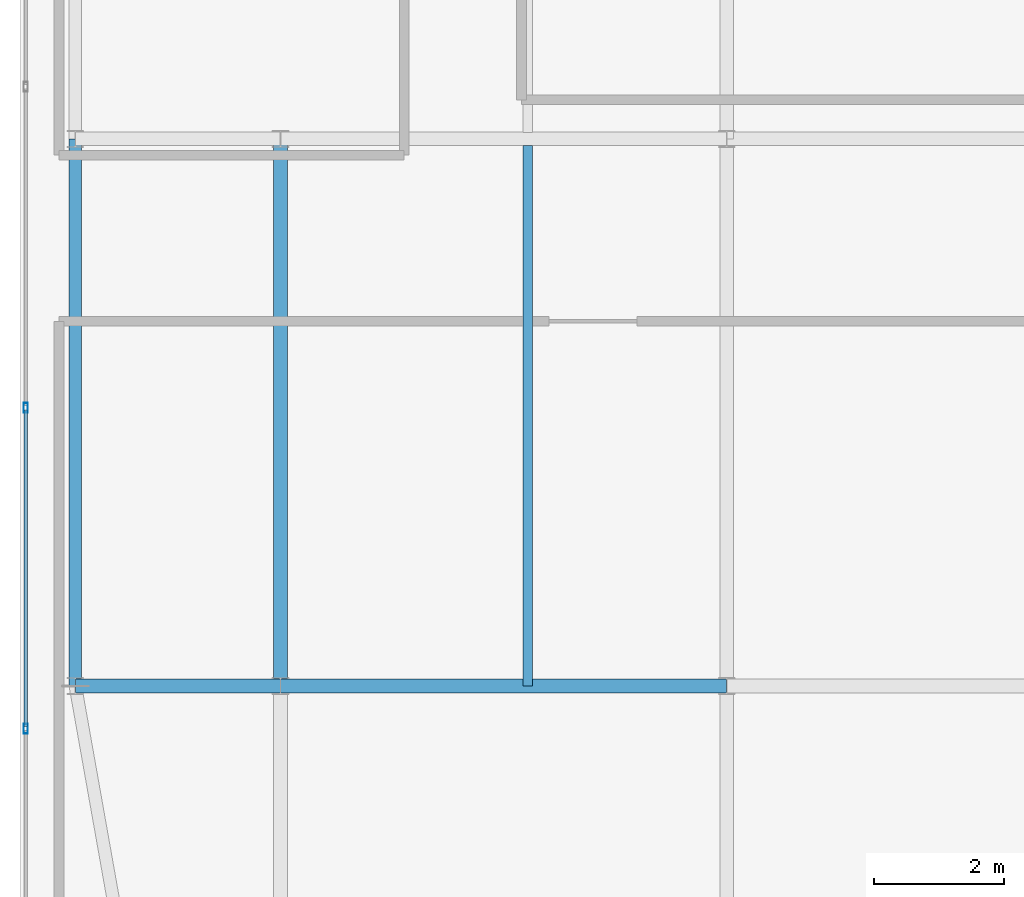
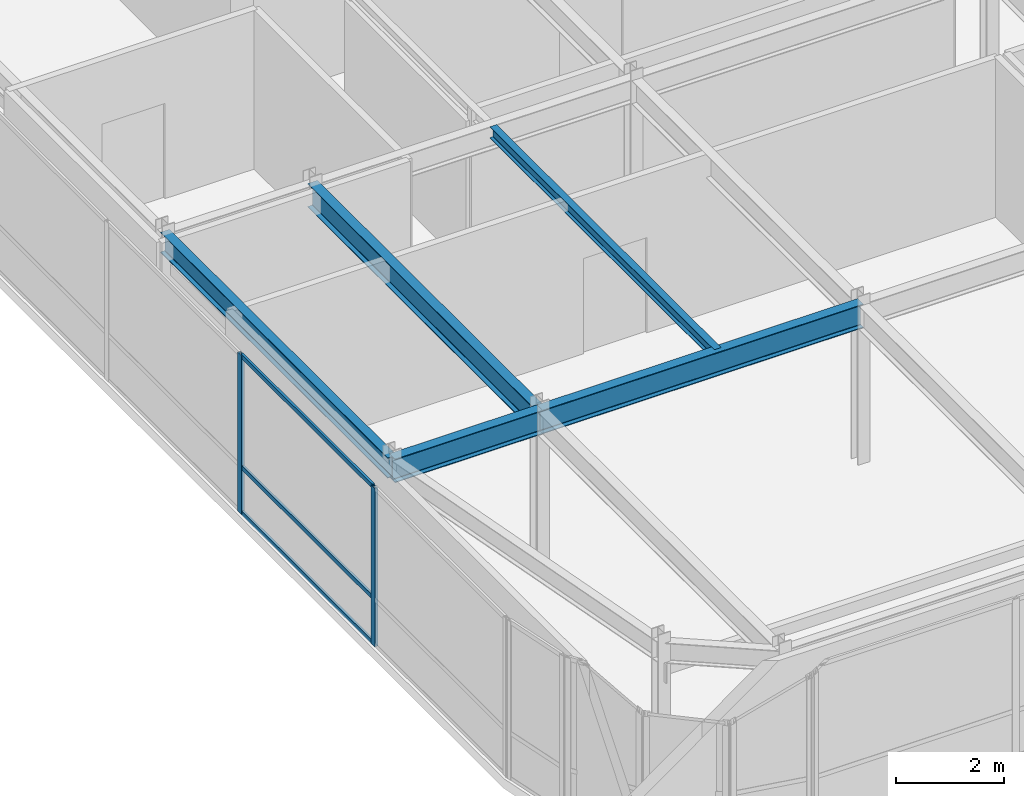
# One storey, part 8 of 36: 5 beams, 5 members, 1 element without a shape of its own.
"""IFC4 building model written with IfcOpenShell, lengths in metres."""

from ifc_helpers import new_model, si_unit, direction, frame, origin, origin_2d, place, context, subcontext, project, spatial, hollow_rectangle, i_section, extrude, source, transform, mapped, material, layer, layer_set, material_profile, profile_set, type_object, type_shapes, element, aggregate, save


model = new_model("IFC4")

# Units and contexts
model_context = context("Model", 3, precision=1e-05, world=origin(), true_north=direction((0.0, 1.0)))
body_context = subcontext(model_context, "Body", "Model", "MODEL_VIEW")
ifc_project = project(units=[si_unit("LENGTHUNIT", "METRE"), si_unit("AREAUNIT", "SQUARE_METRE"), si_unit("VOLUMEUNIT", "CUBIC_METRE"), si_unit("PLANEANGLEUNIT", "RADIAN"), si_unit("MASSUNIT", "GRAM", prefix="KILO")], contexts=[model_context])

# Site, building, storey
site_placement = place(None, origin())
site = spatial("IfcSite", under=ifc_project, at=site_placement, CompositionType="ELEMENT")
building_placement = place(site_placement, origin())
building = spatial("IfcBuilding", under=site, at=building_placement, Name="Tolvann Quenvar Hotel", CompositionType="ELEMENT")
storey_placement = place(building_placement, frame((0.0, 0.0, 298.550048828125)))
storey = spatial("IfcBuildingStorey", under=building, at=storey_placement, Name="L79", CompositionType="ELEMENT", Elevation=298.550048828125)

# Beams
ifc_material_1 = material(Name="Steel Grade 350", Category="steel")
ifc_material_profile_1 = material_profile(ifc_material_1, i_section(OverallWidth=0.208984375, OverallDepth=0.532958984375, WebThickness=0.01025390625, FlangeThickness=0.015625, FilletRadius=0.013916015625, at=origin_2d()), Name="530UB92")
ifc_profile_set_1 = profile_set([ifc_material_profile_1], Name="Steel Grade 350")
beam_type_1 = type_object("IfcBeamType", Name="BM_GIRD_530UB92", PredefinedType="BEAM", material=ifc_profile_set_1)
shared_shape_1 = source(origin(), body_context, "Body", "SweptSolid", [
    extrude(i_section(OverallWidth=0.208984375, OverallDepth=0.532958984375, WebThickness=0.01025390625, FlangeThickness=0.015625, FilletRadius=0.013916015625, at=origin_2d()), origin(), (0.0, 0.0, 1.0), 8.39990234375),
])
beam_1_placement = place(storey_placement, frame((7.60009765625, 16.0, 3.3134765625), z_axis=(0.0, 1.0, 0.0), x_axis=(-1.0, 0.0, 0.0)))
element("IfcBeam", 1, at=beam_1_placement, inside=storey, type_object=beam_type_1, Name="BM-L79-NS-C4-C5", PredefinedType="BEAM", context=body_context, shape_type="MappedRepresentation", body=[
    mapped(shared_shape_1, transform((0.0, 0.0, 0.0), x_axis=(1.0, 0.0, 0.0), y_axis=(0.0, 1.0, 0.0), z_axis=(0.0, 0.0, 1.0), scale=1.0)),
])
ifc_material_profile_2 = material_profile(ifc_material_1, i_section(OverallWidth=0.19091796875, OverallDepth=0.4599609375, WebThickness=0.010009765625, FlangeThickness=0.01611328125, FilletRadius=0.011474609375, at=origin_2d()), Name="460UB82")
ifc_profile_set_2 = profile_set([ifc_material_profile_2], Name="Steel Grade 350")
beam_type_2 = type_object("IfcBeamType", Name="BM_SPAND_460UB82", PredefinedType="SPANDREL", material=ifc_profile_set_2)
shared_shape_2 = source(origin(), body_context, "Body", "SweptSolid", [
    extrude(i_section(OverallWidth=0.19091796875, OverallDepth=0.4599609375, WebThickness=0.010009765625, FlangeThickness=0.01611328125, FilletRadius=0.011474609375, at=origin_2d()), origin(), (0.0, 0.0, 1.0), 8.39990234375),
])
type_shapes(beam_type_2, [shared_shape_2])
beam_2_placement = place(storey_placement, frame((4.449951171875, 16.0, 3.349853515625), z_axis=(0.0, 1.0, 0.0), x_axis=(-1.0, 0.0, 0.0)))
element("IfcBeam", 2, at=beam_2_placement, inside=storey, type_object=beam_type_2, Name="BM-L79-NS-B4-B5", PredefinedType="SPANDREL", context=body_context, shape_type="MappedRepresentation", body=[
    mapped(shared_shape_2, transform((0.0, 0.0, 0.0), x_axis=(1.0, 0.0, 0.0), y_axis=(0.0, 1.0, 0.0), z_axis=(0.0, 0.0, 1.0), scale=1.0)),
])
shared_shape_3 = source(origin(), body_context, "Body", "SweptSolid", [
    extrude(i_section(OverallWidth=0.208984375, OverallDepth=0.532958984375, WebThickness=0.01025390625, FlangeThickness=0.015625, FilletRadius=0.013916015625, at=origin_2d()), origin(), (0.0, 0.0, 1.0), 6.849853515625),
])
beam_3_placement = place(storey_placement, frame((7.60009765625, 16.0, 3.3134765625), z_axis=(1.0, 0.0, 0.0), x_axis=(0.0, 1.0, 0.0)))
element("IfcBeam", 3, at=beam_3_placement, inside=storey, type_object=beam_type_1, Name="BM-L79-EW-4-C4-D4", PredefinedType="BEAM", context=body_context, shape_type="MappedRepresentation", body=[
    mapped(shared_shape_3, transform((0.0, 0.0, 0.0), x_axis=(1.0, 0.0, 0.0), y_axis=(0.0, 1.0, 0.0), z_axis=(0.0, 0.0, 1.0), scale=1.0)),
])
shared_shape_4 = source(origin(), body_context, "Body", "SweptSolid", [
    extrude(i_section(OverallWidth=0.208984375, OverallDepth=0.532958984375, WebThickness=0.01025390625, FlangeThickness=0.015625, FilletRadius=0.013916015625, at=origin_2d()), origin(), (0.0, 0.0, 1.0), 3.150146484375),
])
type_shapes(beam_type_1, [shared_shape_1, shared_shape_3, shared_shape_4])
beam_4_placement = place(storey_placement, frame((4.449951171875, 16.0, 3.3134765625), z_axis=(1.0, 0.0, 0.0), x_axis=(0.0, 1.0, 0.0)))
element("IfcBeam", 4, at=beam_4_placement, inside=storey, type_object=beam_type_1, Name="BM-L79-EW-4-B4-C4", PredefinedType="BEAM", context=body_context, shape_type="MappedRepresentation", body=[
    mapped(shared_shape_4, transform((0.0, 0.0, 0.0), x_axis=(1.0, 0.0, 0.0), y_axis=(0.0, 1.0, 0.0), z_axis=(0.0, 0.0, 1.0), scale=1.0)),
])
ifc_material_profile_3 = material_profile(ifc_material_1, i_section(OverallWidth=0.14599609375, OverallDepth=0.256103515625, WebThickness=0.00634765625, FlangeThickness=0.010986328125, FilletRadius=0.0087890625, at=origin_2d()), Name="250UB37")
ifc_profile_set_3 = profile_set([ifc_material_profile_3], Name="Steel Grade 350")
beam_type_3 = type_object("IfcBeamType", Name="BM_JOIST_250UB37", PredefinedType="JOIST", material=ifc_profile_set_3)
shared_shape_5 = source(origin(), body_context, "Body", "SweptSolid", [
    extrude(i_section(OverallWidth=0.14599609375, OverallDepth=0.256103515625, WebThickness=0.00634765625, FlangeThickness=0.010986328125, FilletRadius=0.0087890625, at=origin_2d()), origin(), (0.0, 0.0, 1.0), 8.301513671875),
])
type_shapes(beam_type_3, [shared_shape_5])
beam_5_placement = place(storey_placement, frame((11.39990234375, 16.0, 3.451904296875), z_axis=(0.0, 1.0, 0.0), x_axis=(-1.0, 0.0, 0.0)))
element("IfcBeam", 5, at=beam_5_placement, inside=storey, type_object=beam_type_3, Name="BJ-L79-114-160", PredefinedType="JOIST", context=body_context, shape_type="MappedRepresentation", body=[
    mapped(shared_shape_5, transform((0.0, 0.0, 0.0), x_axis=(1.0, 0.0, 0.0), y_axis=(0.0, 1.0, 0.0), z_axis=(0.0, 0.0, 1.0), scale=1.0)),
])

# Curtain wall, members
ifc_material_2 = material(Name="Thermally broken anodised architectural aluminium 6063-T6 and laminated low-E glass", Category="aluminium")
ifc_layer = layer(ifc_material_2, 0.179931640625)
ifc_layer_set = layer_set([ifc_layer], Name="Thermally broken anodised architectural aluminium 6063-T6 and laminated low-E glass")
curtain_wall_type = type_object("IfcCurtainWallType", Name="CW_SYS_LANT_06", PredefinedType="USERDEFINED", material=ifc_layer_set)
curtain_wall_placement = place(storey_placement, origin())
curtain_wall = element("IfcCurtainWall", 6, at=curtain_wall_placement, inside=storey, type_object=curtain_wall_type, Name="Curtain Wall CW-LANT-06 (CWR-L79-E19)", ObjectType="UNITISED CURTAIN WALL", PredefinedType="USERDEFINED")
ifc_material_3 = material(Name="Anodised architectural aluminium 6063-T6 framing", Category="aluminium")
ifc_material_profile_4 = material_profile(ifc_material_3, hollow_rectangle(XDim=0.050048828125, YDim=0.10009765625, WallThickness=0.0029296875, at=origin_2d()), Name="100x50x3RHS")
ifc_profile_set_4 = profile_set([ifc_material_profile_4], Name="Anodised architectural aluminium 6063-T6 framing")
member_type_1 = type_object("IfcMemberType", Name="CW_TRAN_100x50", PredefinedType="USERDEFINED", material=ifc_profile_set_4)
shared_shape_6 = source(origin(), body_context, "Body", "SweptSolid", [
    extrude(hollow_rectangle(XDim=0.050048828125, YDim=0.10009765625, WallThickness=0.0029296875, at=origin_2d()), origin(), (0.0, 0.0, 1.0), 4.86279296875),
])
type_shapes(member_type_1, [shared_shape_6])
member_1_placement = place(storey_placement, frame((3.68994140625, 20.239990234375, 0.02490234375), z_axis=(0.0, -1.0, 0.0), x_axis=(1.0, 0.0, 0.0)))
member_1 = element("IfcMember", 7, at=member_1_placement, type_object=member_type_1, Name="CW-LANT-06 transom 5.1", ObjectType="TRANSOM", PredefinedType="USERDEFINED", context=body_context, shape_type="MappedRepresentation", body=[
    mapped(shared_shape_6, transform((0.0, 0.0, 0.0), x_axis=(1.0, 0.0, 0.0), y_axis=(0.0, 1.0, 0.0), z_axis=(0.0, 0.0, 1.0), scale=1.0)),
])
member_2_placement = place(storey_placement, frame((3.68994140625, 20.239990234375, 1.050048828125), z_axis=(0.0, -1.0, 0.0), x_axis=(1.0, 0.0, 0.0)))
member_2 = element("IfcMember", 8, at=member_2_placement, type_object=member_type_1, Name="CW-LANT-06 transom 5.2", ObjectType="TRANSOM", PredefinedType="USERDEFINED", context=body_context, shape_type="MappedRepresentation", body=[
    mapped(shared_shape_6, transform((0.0, 0.0, 0.0), x_axis=(1.0, 0.0, 0.0), y_axis=(0.0, 1.0, 0.0), z_axis=(0.0, 0.0, 1.0), scale=1.0)),
])
member_3_placement = place(storey_placement, frame((3.68994140625, 20.239990234375, 3.554931640625), z_axis=(0.0, -1.0, 0.0), x_axis=(1.0, 0.0, 0.0)))
member_3 = element("IfcMember", 9, at=member_3_placement, type_object=member_type_1, Name="CW-LANT-06 transom 5.3", ObjectType="TRANSOM", PredefinedType="USERDEFINED", context=body_context, shape_type="MappedRepresentation", body=[
    mapped(shared_shape_6, transform((0.0, 0.0, 0.0), x_axis=(1.0, 0.0, 0.0), y_axis=(0.0, 1.0, 0.0), z_axis=(0.0, 0.0, 1.0), scale=1.0)),
])
ifc_material_profile_5 = material_profile(ifc_material_3, hollow_rectangle(XDim=0.06494140625, YDim=0.14990234375, WallThickness=0.00390625, at=origin_2d()), Name="150x65x4RHS")
ifc_profile_set_5 = profile_set([ifc_material_profile_5], Name="Anodised architectural aluminium 6063-T6 framing")
member_type_2 = type_object("IfcMemberType", Name="CW_MULL_150x65", PredefinedType="MULLION", material=ifc_profile_set_5)
shared_shape_7 = source(origin(), body_context, "Body", "SweptSolid", [
    extrude(hollow_rectangle(XDim=0.06494140625, YDim=0.14990234375, WallThickness=0.00390625, at=origin_2d()), origin(), (0.0, 0.0, 1.0), 3.579833984375),
])
type_shapes(member_type_2, [shared_shape_7])
member_4_placement = place(storey_placement, frame((3.68994140625, 20.2724609375, 0.0), z_axis=(0.0, 0.0, 1.0), x_axis=(1.0, 0.0, 0.0)))
member_4 = element("IfcMember", 10, at=member_4_placement, type_object=member_type_2, Name="CW-LANT-06 mullion 5", PredefinedType="MULLION", context=body_context, shape_type="MappedRepresentation", body=[
    mapped(shared_shape_7, transform((0.0, 0.0, 0.0), x_axis=(1.0, 0.0, 0.0), y_axis=(0.0, 1.0, 0.0), z_axis=(0.0, 0.0, 1.0), scale=1.0)),
])
member_5_placement = place(storey_placement, frame((3.68994140625, 15.3447265625, 0.0), z_axis=(0.0, 0.0, 1.0), x_axis=(1.0, 0.0, 0.0)))
member_5 = element("IfcMember", 11, at=member_5_placement, type_object=member_type_2, Name="CW-LANT-06 mullion 6", PredefinedType="MULLION", context=body_context, shape_type="MappedRepresentation", body=[
    mapped(shared_shape_7, transform((0.0, 0.0, 0.0), x_axis=(1.0, 0.0, 0.0), y_axis=(0.0, 1.0, 0.0), z_axis=(0.0, 0.0, 1.0), scale=1.0)),
])
aggregate(curtain_wall, [member_4, member_5, member_1, member_2, member_3])

save(model, "model.ifc")
